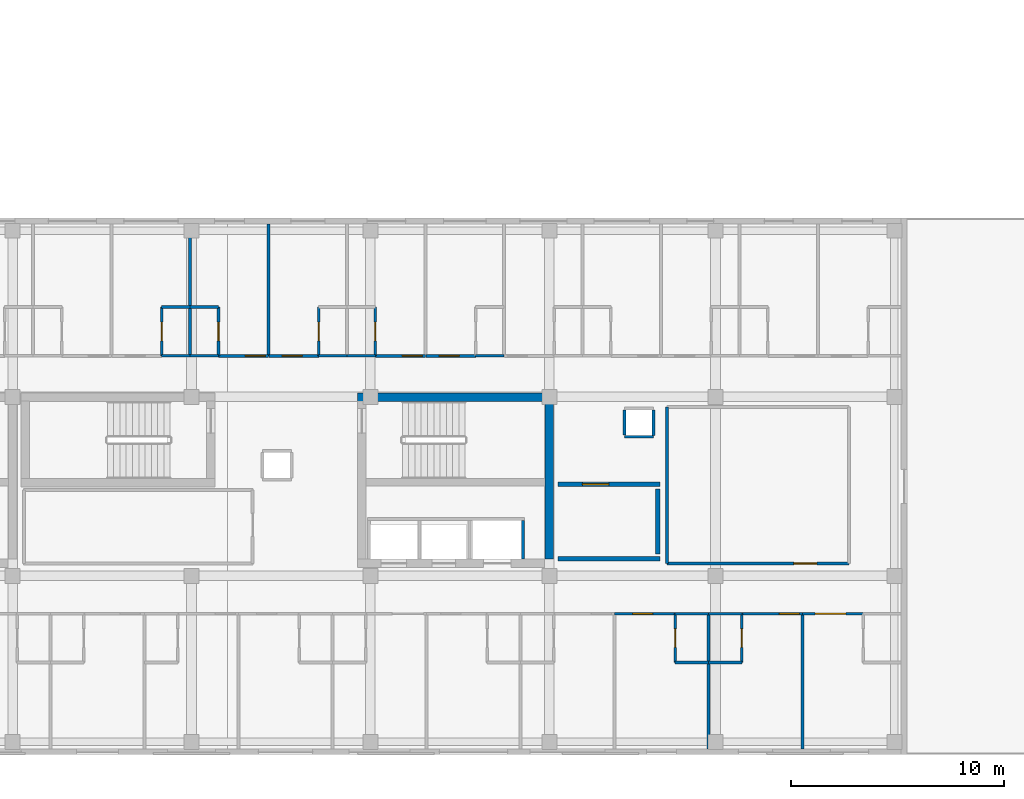
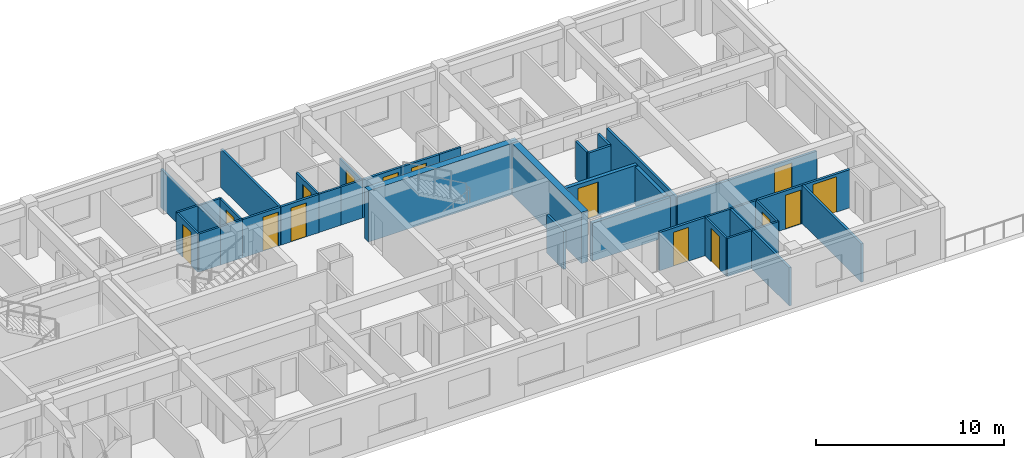
# One storey, part 7 of 13: 39 walls, 15 doors, 15 openings.
"""IFC4 building model written with IfcOpenShell, lengths in metres."""

import ifcopenshell
import ifcopenshell.guid

model = None  # the IFC model being written
_history = None  # IfcOwnerHistory: only IFC2X3 demands one
_inside = {}  # id of a spatial element -> (the spatial element, [elements in it])
_under = {}  # id of a project, library or spatial element -> (it, [spatial elements below it])
_declared = {}  # id of a project -> (the project, [libraries it declares])
_typed = {}  # id of a type object -> (the type object, [elements of that type])
_made_of = {}  # id of a material, layer set ... -> (it, [elements and type objects made of it])


def new_model(schema):
    """Start an empty IFC model of exactly this schema.

    Asked for "IFC4X3", IfcOpenShell would pick the latest addendum, in which some entities
    have other attributes; the version numbers below select the first issue.
    IFC2X3 requires an IfcOwnerHistory on every rooted entity: one is made here for all.
    """
    global model, _history
    if schema == "IFC4X3":
        model = ifcopenshell.file(schema_version=(4, 3, 0, 0))
    else:
        model = ifcopenshell.file(schema=schema)
    _inside.clear()
    _under.clear()
    _declared.clear()
    _typed.clear()
    _made_of.clear()
    _history = None
    if model.schema == "IFC2X3":
        org = make("IfcOrganization", Name="unknown")
        user = make(
            "IfcPersonAndOrganization",
            ThePerson=make("IfcPerson", FamilyName="unknown"),
            TheOrganization=org,
        )
        app = make(
            "IfcApplication",
            ApplicationDeveloper=org,
            Version="unknown",
            ApplicationFullName="unknown",
            ApplicationIdentifier="unknown",
        )
        _history = make(
            "IfcOwnerHistory",
            OwningUser=user,
            OwningApplication=app,
            ChangeAction="ADDED",
            CreationDate=0,
        )
    return model


def make(cls, **values):
    """One entity of the class cls with the attributes given. An attribute that is None is left unset."""
    return model.create_entity(
        cls, **{name: value for name, value in values.items() if value is not None}
    )


def rooted(cls, **values):
    """An entity with a GlobalId (a new one), such as an element, a storey or a relation."""
    return make(cls, GlobalId=ifcopenshell.guid.new(), OwnerHistory=_history, **values)


def si_unit(unit_type, name, prefix=None):
    """IfcSIUnit, for example si_unit("LENGTHUNIT", "METRE", prefix="MILLI")."""
    return make("IfcSIUnit", UnitType=unit_type, Prefix=prefix, Name=name)


def assignment(units):
    """IfcUnitAssignment: the units of a project."""
    return None if units is None else make("IfcUnitAssignment", Units=units)


def point(xyz):
    """IfcCartesianPoint."""
    return None if xyz is None else make("IfcCartesianPoint", Coordinates=xyz)


def direction(xyz):
    """IfcDirection."""
    return None if xyz is None else make("IfcDirection", DirectionRatios=xyz)


def frame(location, z_axis=None, x_axis=None):
    """IfcAxis2Placement3D, a coordinate frame: its origin and axes. An axis left out is left unset."""
    return make(
        "IfcAxis2Placement3D",
        Location=point(location),
        Axis=direction(z_axis),
        RefDirection=direction(x_axis),
    )


def frame_2d(location, x_axis=None):
    """IfcAxis2Placement2D, a coordinate frame in the plane: its origin and x axis."""
    return make(
        "IfcAxis2Placement2D", Location=point(location), RefDirection=direction(x_axis)
    )


def origin():
    """The frame at (0, 0, 0) with its axes left unset."""
    return frame((0.0, 0.0, 0.0))


def place(relative_to, where):
    """IfcLocalPlacement: puts the frame where relative to a parent placement (None: the world)."""
    return make(
        "IfcLocalPlacement", PlacementRelTo=relative_to, RelativePlacement=where
    )


def context(
    kind, dimensions, precision=None, world=None, true_north=None, identifier=None
):
    """IfcGeometricRepresentationContext, for example the 3D "Model" context."""
    return make(
        "IfcGeometricRepresentationContext",
        ContextIdentifier=identifier,
        ContextType=kind,
        CoordinateSpaceDimension=dimensions,
        Precision=precision,
        WorldCoordinateSystem=world,
        TrueNorth=true_north,
    )


def subcontext(parent, identifier, kind, view, scale=None):
    """IfcGeometricRepresentationSubContext, for example "Body" below "Model"."""
    return make(
        "IfcGeometricRepresentationSubContext",
        ContextIdentifier=identifier,
        ContextType=kind,
        ParentContext=parent,
        TargetScale=scale,
        TargetView=view,
    )


def project(units=None, contexts=None):
    """IfcProject with its units and contexts."""
    return rooted(
        "IfcProject",
        Name="project",
        RepresentationContexts=contexts,
        UnitsInContext=assignment(units),
    )


def spatial(cls, under=None, at=None, **own):
    """A site, building, storey or space (cls), placed at a placement, below another one or the project."""
    s = rooted(cls, ObjectPlacement=at, **own)
    if under is not None:
        _under.setdefault(under.id(), (under, []))[1].append(s)
    return s


def profile(cls, at=None, kind="AREA", **sizes):
    """A parametric profile (cls). Its sizes go by their IFC names, for example OverallWidth=200.0."""
    return make(cls, ProfileType=kind, Position=at, **sizes)


def rectangle(**sizes):
    """IfcRectangleProfileDef."""
    return profile("IfcRectangleProfileDef", **sizes)


def extrude(swept, where, along, depth):
    """IfcExtrudedAreaSolid: the profile swept, set in the frame where, extruded along a direction by depth."""
    return make(
        "IfcExtrudedAreaSolid",
        SweptArea=swept,
        Position=where,
        ExtrudedDirection=direction(along),
        Depth=depth,
    )


def shape(context_of_items, identifier, shape_type, items):
    """IfcShapeRepresentation: the items that make up one representation, for example the "Body"."""
    return make(
        "IfcShapeRepresentation",
        ContextOfItems=context_of_items,
        RepresentationIdentifier=identifier,
        RepresentationType=shape_type,
        Items=items,
    )


def material(Name=None, Category=None):
    """IfcMaterial."""
    return make("IfcMaterial", Name=Name, Category=Category)


def layer(
    of_material, thickness, ventilated=None, Name=None, Category=None, Priority=None
):
    """IfcMaterialLayer: one layer of a wall or slab, of a material (None: an air gap)."""
    return make(
        "IfcMaterialLayer",
        Material=of_material,
        LayerThickness=thickness,
        IsVentilated=ventilated,
        Name=Name,
        Category=Category,
        Priority=Priority,
    )


def layer_set(layers, Name=None):
    """IfcMaterialLayerSet."""
    return make("IfcMaterialLayerSet", MaterialLayers=layers, LayerSetName=Name)


def made_of(thing, what):
    """Note that an element or type object is made of a material, layer set ...; save() writes the relation."""
    if what is not None:
        _made_of.setdefault(what.id(), (what, []))[1].append(thing)
    return thing


def type_object(cls, material=None, **own):
    """A type object (cls), such as IfcWallType, which elements share."""
    return made_of(rooted(cls, **own), material)


def element(
    cls,
    number,
    at=None,
    inside=None,
    cuts=None,
    type_object=None,
    material=None,
    context=None,
    identifier="Body",
    shape_type=None,
    held_by="IfcProductDefinitionShape",
    body=None,
    shapes=None,
    **own,
):
    """One element of the class cls, such as IfcWall. Its Tag is "e" and its number.

    at: its placement. inside: the storey or other place that contains it. cuts: it is an
    opening in that element (IfcRelVoidsElement). A single representation is given by context,
    identifier, shape_type and body (its items); several are given by shapes. held_by: the class
    of the entity that holds the representations. save() writes the other relations.
    """
    e = rooted(cls, Tag="e%d" % number, ObjectPlacement=at, **own)
    if body is not None:
        shapes = [shape(context, identifier, shape_type, body)]
    if shapes is not None:
        e.Representation = make(held_by, Representations=shapes)
    if inside is not None:
        _inside.setdefault(inside.id(), (inside, []))[1].append(e)
    if cuts is not None:
        rooted(
            "IfcRelVoidsElement", RelatingBuildingElement=cuts, RelatedOpeningElement=e
        )
    if type_object is not None:
        _typed.setdefault(type_object.id(), (type_object, []))[1].append(e)
    return made_of(e, material)


def fill(opening, filler):
    """IfcRelFillsElement: the door or window that sits in an opening."""
    return rooted(
        "IfcRelFillsElement",
        RelatingOpeningElement=opening,
        RelatedBuildingElement=filler,
    )


def aggregate(whole, parts):
    """IfcRelAggregates: a whole, such as a stair, and the parts it consists of."""
    return rooted("IfcRelAggregates", RelatingObject=whole, RelatedObjects=parts)


def save(model, path):
    """Write the relations noted so far, then the file.

    IfcRelAggregates (storeys below a building ...), IfcRelContainedInSpatialStructure (elements
    in a storey), IfcRelDefinesByType, IfcRelAssociatesMaterial and IfcRelDeclares: one each for
    every whole, place, type object, material and project.
    """
    for whole, parts in _under.values():
        aggregate(whole, parts)
    for where, things in _inside.values():
        rooted(
            "IfcRelContainedInSpatialStructure",
            RelatedElements=things,
            RelatingStructure=where,
        )
    for kind, things in _typed.values():
        rooted("IfcRelDefinesByType", RelatedObjects=things, RelatingType=kind)
    for what, things in _made_of.values():
        rooted("IfcRelAssociatesMaterial", RelatedObjects=things, RelatingMaterial=what)
    for by, libraries in _declared.values():
        rooted("IfcRelDeclares", RelatingContext=by, RelatedDefinitions=libraries)
    model.write(path)


model = new_model("IFC4")

# Units and contexts
model_context = context("Model", 3, precision=1e-05, world=origin(), true_north=direction((0.0, 1.0)))
body_context = subcontext(model_context, "Body", "Model", "MODEL_VIEW")
ifc_project = project(units=[si_unit("LENGTHUNIT", "METRE"), si_unit("AREAUNIT", "SQUARE_METRE"), si_unit("VOLUMEUNIT", "CUBIC_METRE"), si_unit("PLANEANGLEUNIT", "RADIAN"), si_unit("MASSUNIT", "GRAM", prefix="KILO")], contexts=[model_context])

# Site, building, storey
site_placement = place(None, origin())
site = spatial("IfcSite", under=ifc_project, at=site_placement, CompositionType="ELEMENT")
building_placement = place(site_placement, origin())
building = spatial("IfcBuilding", under=site, at=building_placement, Name="Zayran Congress Hotel", CompositionType="ELEMENT")
storey_placement = place(building_placement, frame((0.0, 0.0, 22.800048828125)))
storey = spatial("IfcBuildingStorey", under=building, at=storey_placement, Name="L05", CompositionType="ELEMENT", Elevation=22.800048828125)

# Walls
ifc_material_1 = material(Name="Concrete C40/50", Category="concrete")
ifc_layer_1 = layer(ifc_material_1, 0.39990234375)
ifc_layer_set_1 = layer_set([ifc_layer_1], Name="Concrete C40/50")
wall_type_1 = type_object("IfcWallType", Name="WL-SH-400", PredefinedType="SHEAR", material=ifc_layer_set_1)
wall_1_placement = place(storey_placement, frame((59.0, 25.5849609375, 0.0), z_axis=(0.0, 0.0, 1.0), x_axis=(-1.0, 0.0, 0.0)))
element("IfcWall", 1, at=wall_1_placement, inside=storey, type_object=wall_type_1, Name="CWALL-C-V5E-L05-N", PredefinedType="SHEAR", context=body_context, shape_type="SweptSolid", body=[
    extrude(rectangle(XDim=9.199951171875, YDim=0.39990234375, at=frame_2d((4.60009765625, 0.0))), origin(), (0.0, 0.0, 1.0), 3.320068359375),
])
wall_2_placement = place(storey_placement, frame((58.800048828125, 18.0, 0.0), z_axis=(0.0, 0.0, 1.0), x_axis=(0.0, 1.0, 0.0)))
element("IfcWall", 2, at=wall_2_placement, inside=storey, type_object=wall_type_1, Name="CWALL-C-V5E-L05-E", PredefinedType="SHEAR", context=body_context, shape_type="SweptSolid", body=[
    extrude(rectangle(XDim=7.39990234375, YDim=0.39990234375, at=frame_2d((3.699951171875, 0.0))), origin(), (0.0, 0.0, 1.0), 3.320068359375),
])
ifc_material_2 = material(Name="Concrete C32/40 fire wall", Category="concrete")
ifc_layer_2 = layer(ifc_material_2, 0.219970703125)
ifc_layer_set_2 = layer_set([ifc_layer_2], Name="Concrete C32/40 fire wall")
wall_type_2 = type_object("IfcWallType", Name="WL-FF-220", PredefinedType="SOLIDWALL", material=ifc_layer_set_2)
wall_3_placement = place(storey_placement, frame((59.199951171875, 18.0, 0.0), z_axis=(0.0, 0.0, 1.0), x_axis=(1.0, 0.0, 0.0)))
element("IfcWall", 3, at=wall_3_placement, inside=storey, type_object=wall_type_2, Name="FFWL-C-V5E-L05-S", PredefinedType="SOLIDWALL", context=body_context, shape_type="SweptSolid", body=[
    extrude(rectangle(XDim=4.800048828125, YDim=0.219970703125, at=frame_2d((2.39990234375, 0.0))), origin(), (0.0, 0.0, 1.0), 2.469970703125),
])

# Wall, opening, door
wall_4_placement = place(storey_placement, frame((59.199951171875, 21.5, 0.0), z_axis=(0.0, 0.0, 1.0), x_axis=(1.0, 0.0, 0.0)))
wall_4 = element("IfcWall", 4, at=wall_4_placement, inside=storey, type_object=wall_type_2, Name="FFWL-C-V5E-L05-N", PredefinedType="SOLIDWALL", context=body_context, shape_type="SweptSolid", body=[
    extrude(rectangle(XDim=4.800048828125, YDim=0.219970703125, at=frame_2d((2.39990234375, 0.0))), origin(), (0.0, 0.0, 1.0), 2.469970703125),
])
opening_1_placement = place(wall_4_placement, frame((1.14990234375, 0.0, 0.0)))
opening_1 = element("IfcOpeningElement", 5, at=opening_1_placement, cuts=wall_4, Name="Opening DR-FF-60", PredefinedType="OPENING", context=body_context, shape_type="SweptSolid", body=[
    extrude(rectangle(XDim=1.25, YDim=2.199951171875, at=frame_2d((0.625, 1.10009765625))), frame((0.0, 0.119873046875, 0.0), z_axis=(0.0, -1.0, 0.0), x_axis=(1.0, 0.0, 0.0)), (0.0, 0.0, 1.0), 0.239990234375),
])
ifc_material_3 = material(Name="Painted steel smoke-seal fire door", Category="steel")
door_type_1 = type_object("IfcDoorType", Name="TP-DR-FF-60", OperationType="NOTDEFINED", PredefinedType="DOOR", material=ifc_material_3)
door_1_placement = place(opening_1_placement, origin())
door_1 = element("IfcDoor", 6, at=door_1_placement, inside=storey, type_object=door_type_1, Name="Firefighting Lift Lobby Door C-V5E L05", OperationType="SINGLE_SWING_RIGHT", OverallHeight=2.199951171875, OverallWidth=1.25, PredefinedType="DOOR", context=body_context, shape_type="SweptSolid", body=[
    extrude(rectangle(XDim=1.25, YDim=2.199951171875, at=frame_2d((0.625, 1.10009765625))), frame((0.0, 0.02490234375, 0.0), z_axis=(0.0, -1.0, 0.0), x_axis=(1.0, 0.0, 0.0)), (0.0, 0.0, 1.0), 0.050048828125),
])
fill(opening_1, door_1)

# Walls
wall_5_placement = place(storey_placement, frame((63.889892578125, 18.219970703125, 0.0), z_axis=(0.0, 0.0, 1.0), x_axis=(0.0, 1.0, 0.0)))
element("IfcWall", 7, at=wall_5_placement, inside=storey, type_object=wall_type_2, Name="FFWL-C-V5E-L05-SD", PredefinedType="SOLIDWALL", context=body_context, shape_type="SweptSolid", body=[
    extrude(rectangle(XDim=3.06005859375, YDim=0.219970703125, at=frame_2d((1.530029296875, 0.0))), origin(), (0.0, 0.0, 1.0), 2.469970703125),
])
ifc_material_4 = material(Name="Hospitality guestroom acoustic partition", Category="gypsum")
ifc_layer_3 = layer(ifc_material_4, 0.139892578125)
ifc_layer_set_3 = layer_set([ifc_layer_3], Name="Hospitality guestroom acoustic partition")
wall_type_3 = type_object("IfcWallType", Name="WL-PT-140", PredefinedType="PARTITIONING", material=ifc_layer_set_3)
wall_6_placement = place(storey_placement, frame((57.570068359375, 18.0, 0.0), z_axis=(0.0, 0.0, 1.0), x_axis=(0.0, 1.0, 0.0)))
element("IfcWall", 8, at=wall_6_placement, inside=storey, type_object=wall_type_3, Name="LSHW-C-V5E-L05-E", PredefinedType="PARTITIONING", context=body_context, shape_type="SweptSolid", body=[
    extrude(rectangle(XDim=1.800048828125, YDim=0.139892578125, at=frame_2d((0.89990234375, 0.0))), origin(), (0.0, 0.0, 1.0), 2.469970703125),
])

# Wall, opening, door
wall_7_placement = place(storey_placement, frame((64.320068359375, 17.780029296875, 0.0), z_axis=(0.0, 0.0, 1.0), x_axis=(1.0, 0.0, 0.0)))
wall_7 = element("IfcWall", 9, at=wall_7_placement, inside=storey, type_object=wall_type_3, Name="IW-L05-0656", PredefinedType="PARTITIONING", context=body_context, shape_type="SweptSolid", body=[
    extrude(rectangle(XDim=8.559814453125, YDim=0.139892578125, at=frame_2d((4.27978515625, 0.0))), origin(), (0.0, 0.0, 1.0), 2.47998046875),
])
opening_2_placement = place(wall_7_placement, frame((5.9580078125, 0.0, 0.0)))
opening_2 = element("IfcOpeningElement", 10, at=opening_2_placement, cuts=wall_7, Name="Opening DR-MT-01", PredefinedType="OPENING", context=body_context, shape_type="SweptSolid", body=[
    extrude(rectangle(XDim=1.080078125, YDim=2.25, at=frame_2d((0.5400390625, 1.125))), frame((0.0, 0.079833984375, 0.0), z_axis=(0.0, -1.0, 0.0), x_axis=(1.0, 0.0, 0.0)), (0.0, 0.0, 1.0), 0.159912109375),
])
ifc_material_5 = material(Name="Acoustic timber seminar room door", Category="wood")
door_type_2 = type_object("IfcDoorType", Name="TP-DR-MT-01", OperationType="NOTDEFINED", PredefinedType="DOOR", material=ifc_material_5)
door_2_placement = place(opening_2_placement, origin())
door_2 = element("IfcDoor", 11, at=door_2_placement, inside=storey, type_object=door_type_2, Name="Delegate Study Salon East L05 Door", OperationType="SINGLE_SWING_LEFT", OverallHeight=2.25, OverallWidth=1.080078125, PredefinedType="DOOR", context=body_context, shape_type="SweptSolid", body=[
    extrude(rectangle(XDim=1.080078125, YDim=2.25, at=frame_2d((0.5400390625, 1.125))), frame((0.0, 0.02490234375, 0.0), z_axis=(0.0, -1.0, 0.0), x_axis=(1.0, 0.0, 0.0)), (0.0, 0.0, 1.0), 0.050048828125),
])
fill(opening_2, door_2)

wall_8_placement = place(storey_placement, frame((61.8701171875, 15.419921875, 0.0), z_axis=(0.0, 0.0, 1.0), x_axis=(1.0, 0.0, 0.0)))
wall_8 = element("IfcWall", 12, at=wall_8_placement, inside=storey, type_object=wall_type_3, Name="IW-L05-0669", PredefinedType="PARTITIONING", context=body_context, shape_type="SweptSolid", body=[
    extrude(rectangle(XDim=2.849853515625, YDim=0.139892578125, at=frame_2d((1.4248046875, 0.0))), origin(), (0.0, 0.0, 1.0), 2.47998046875),
])
opening_3_placement = place(wall_8_placement, frame((0.839111328125, 0.0, 0.0)))
opening_3 = element("IfcOpeningElement", 13, at=opening_3_placement, cuts=wall_8, Name="Opening DR-GR-01", PredefinedType="OPENING", context=body_context, shape_type="SweptSolid", body=[
    extrude(rectangle(XDim=0.93994140625, YDim=2.199951171875, at=frame_2d((0.469970703125, 1.10009765625))), frame((0.0, 0.079833984375, 0.0), z_axis=(0.0, -1.0, 0.0), x_axis=(1.0, 0.0, 0.0)), (0.0, 0.0, 1.0), 0.159912109375),
])
ifc_material_6 = material(Name="Acoustic walnut veneer fire-rated entry door", Category="wood")
door_type_3 = type_object("IfcDoorType", Name="TP-DR-GR-01", OperationType="NOTDEFINED", PredefinedType="DOOR", material=ifc_material_6)
door_3_placement = place(opening_3_placement, origin())
door_3 = element("IfcDoor", 14, at=door_3_placement, inside=storey, type_object=door_type_3, Name="Guest Room L05-13 Door", OperationType="SINGLE_SWING_RIGHT", OverallHeight=2.199951171875, OverallWidth=0.93994140625, PredefinedType="DOOR", context=body_context, shape_type="SweptSolid", body=[
    extrude(rectangle(XDim=0.93994140625, YDim=2.199951171875, at=frame_2d((0.469970703125, 1.10009765625))), frame((0.0, 0.02490234375, 0.0), z_axis=(0.0, -1.0, 0.0), x_axis=(1.0, 0.0, 0.0)), (0.0, 0.0, 1.0), 0.050048828125),
])
fill(opening_3, door_3)

wall_9_placement = place(storey_placement, frame((67.826904296875, 15.419921875, 0.0), z_axis=(0.0, 0.0, 1.0), x_axis=(1.0, 0.0, 0.0)))
wall_9 = element("IfcWall", 15, at=wall_9_placement, inside=storey, type_object=wall_type_3, Name="IW-L05-0670", PredefinedType="PARTITIONING", context=body_context, shape_type="SweptSolid", body=[
    extrude(rectangle(XDim=2.85009765625, YDim=0.139892578125, at=frame_2d((1.425048828125, 0.0))), origin(), (0.0, 0.0, 1.0), 2.47998046875),
])
opening_4_placement = place(wall_9_placement, frame((1.77001953125, 0.0, 0.0)))
opening_4 = element("IfcOpeningElement", 16, at=opening_4_placement, cuts=wall_9, Name="Opening DR-GR-01", PredefinedType="OPENING", context=body_context, shape_type="SweptSolid", body=[
    extrude(rectangle(XDim=0.93994140625, YDim=2.199951171875, at=frame_2d((0.469970703125, 1.10009765625))), frame((0.0, 0.079833984375, 0.0), z_axis=(0.0, -1.0, 0.0), x_axis=(1.0, 0.0, 0.0)), (0.0, 0.0, 1.0), 0.159912109375),
])
door_4_placement = place(opening_4_placement, origin())
door_4 = element("IfcDoor", 17, at=door_4_placement, inside=storey, type_object=door_type_3, Name="Guest Room L05-14 Door", OperationType="SINGLE_SWING_LEFT", OverallHeight=2.199951171875, OverallWidth=0.93994140625, PredefinedType="DOOR", context=body_context, shape_type="SweptSolid", body=[
    extrude(rectangle(XDim=0.93994140625, YDim=2.199951171875, at=frame_2d((0.469970703125, 1.10009765625))), frame((0.0, 0.02490234375, 0.0), z_axis=(0.0, -1.0, 0.0), x_axis=(1.0, 0.0, 0.0)), (0.0, 0.0, 1.0), 0.050048828125),
])
fill(opening_4, door_4)

wall_10_placement = place(storey_placement, frame((70.697021484375, 15.419921875, 0.0), z_axis=(0.0, 0.0, 1.0), x_axis=(1.0, 0.0, 0.0)))
wall_10 = element("IfcWall", 18, at=wall_10_placement, inside=storey, type_object=wall_type_3, Name="IW-L05-0671", PredefinedType="PARTITIONING", context=body_context, shape_type="SweptSolid", body=[
    extrude(rectangle(XDim=2.85009765625, YDim=0.139892578125, at=frame_2d((1.425048828125, 0.0))), origin(), (0.0, 0.0, 1.0), 2.47998046875),
])
opening_5_placement = place(wall_10_placement, frame((0.580078125, 0.0, 0.0)))
opening_5 = element("IfcOpeningElement", 19, at=opening_5_placement, cuts=wall_10, Name="Opening DR-ST-01", PredefinedType="OPENING", context=body_context, shape_type="SweptSolid", body=[
    extrude(rectangle(XDim=1.449951171875, YDim=2.300048828125, at=frame_2d((0.72509765625, 1.14990234375))), frame((0.0, 0.079833984375, 0.0), z_axis=(0.0, -1.0, 0.0), x_axis=(1.0, 0.0, 0.0)), (0.0, 0.0, 1.0), 0.159912109375),
])
ifc_material_7 = material(Name="Double walnut veneer suite entry door", Category="wood")
door_type_4 = type_object("IfcDoorType", Name="TP-DR-ST-01", OperationType="DOUBLE_DOOR_SINGLE_SWING", PredefinedType="DOOR", material=ifc_material_7)
door_5_placement = place(opening_5_placement, origin())
door_5 = element("IfcDoor", 20, at=door_5_placement, inside=storey, type_object=door_type_4, Name="Junior Suite L05-15 Door", OperationType="DOUBLE_DOOR_SINGLE_SWING", OverallHeight=2.300048828125, OverallWidth=1.449951171875, PredefinedType="DOOR", context=body_context, shape_type="SweptSolid", body=[
    extrude(rectangle(XDim=1.449951171875, YDim=2.300048828125, at=frame_2d((0.72509765625, 1.14990234375))), frame((0.0, 0.02490234375, 0.0), z_axis=(0.0, -1.0, 0.0), x_axis=(1.0, 0.0, 0.0)), (0.0, 0.0, 1.0), 0.050048828125),
])
fill(opening_5, door_5)

wall_11_placement = place(storey_placement, frame((43.26806640625, 27.530029296875, 0.0), z_axis=(0.0, 0.0, 1.0), x_axis=(1.0, 0.0, 0.0)))
wall_11 = element("IfcWall", 21, at=wall_11_placement, inside=storey, type_object=wall_type_3, Name="IW-L05-0680", PredefinedType="PARTITIONING", context=body_context, shape_type="SweptSolid", body=[
    extrude(rectangle(XDim=2.344970703125, YDim=0.139892578125, at=frame_2d((1.17236328125, 0.0))), origin(), (0.0, 0.0, 1.0), 2.47998046875),
])
opening_6_placement = place(wall_11_placement, frame((1.264892578125, 0.0, 0.0)))
opening_6 = element("IfcOpeningElement", 22, at=opening_6_placement, cuts=wall_11, Name="Opening DR-GR-01", PredefinedType="OPENING", context=body_context, shape_type="SweptSolid", body=[
    extrude(rectangle(XDim=0.93994140625, YDim=2.199951171875, at=frame_2d((0.469970703125, 1.10009765625))), frame((0.0, 0.079833984375, 0.0), z_axis=(0.0, -1.0, 0.0), x_axis=(1.0, 0.0, 0.0)), (0.0, 0.0, 1.0), 0.159912109375),
])
door_6_placement = place(opening_6_placement, origin())
door_6 = element("IfcDoor", 23, at=door_6_placement, inside=storey, type_object=door_type_3, Name="Guest Room L05-22 Door", OperationType="SINGLE_SWING_RIGHT", OverallHeight=2.199951171875, OverallWidth=0.93994140625, PredefinedType="DOOR", context=body_context, shape_type="SweptSolid", body=[
    extrude(rectangle(XDim=0.93994140625, YDim=2.199951171875, at=frame_2d((0.469970703125, 1.10009765625))), frame((0.0, 0.02490234375, 0.0), z_axis=(0.0, -1.0, 0.0), x_axis=(1.0, 0.0, 0.0)), (0.0, 0.0, 1.0), 0.050048828125),
])
fill(opening_6, door_6)

wall_12_placement = place(storey_placement, frame((45.633056640625, 27.530029296875, 0.0), z_axis=(0.0, 0.0, 1.0), x_axis=(1.0, 0.0, 0.0)))
wall_12 = element("IfcWall", 24, at=wall_12_placement, inside=storey, type_object=wall_type_3, Name="IW-L05-0681", PredefinedType="PARTITIONING", context=body_context, shape_type="SweptSolid", body=[
    extrude(rectangle(XDim=2.343994140625, YDim=0.139892578125, at=frame_2d((1.171875, 0.0))), origin(), (0.0, 0.0, 1.0), 2.47998046875),
])
opening_7_placement = place(wall_12_placement, frame((0.6220703125, 0.0, 0.0)))
opening_7 = element("IfcOpeningElement", 25, at=opening_7_placement, cuts=wall_12, Name="Opening DR-GR-01", PredefinedType="OPENING", context=body_context, shape_type="SweptSolid", body=[
    extrude(rectangle(XDim=0.93994140625, YDim=2.199951171875, at=frame_2d((0.469970703125, 1.10009765625))), frame((0.0, 0.079833984375, 0.0), z_axis=(0.0, -1.0, 0.0), x_axis=(1.0, 0.0, 0.0)), (0.0, 0.0, 1.0), 0.159912109375),
])
door_7_placement = place(opening_7_placement, origin())
door_7 = element("IfcDoor", 26, at=door_7_placement, inside=storey, type_object=door_type_3, Name="Guest Room L05-23 Door", OperationType="SINGLE_SWING_LEFT", OverallHeight=2.199951171875, OverallWidth=0.93994140625, PredefinedType="DOOR", context=body_context, shape_type="SweptSolid", body=[
    extrude(rectangle(XDim=0.93994140625, YDim=2.199951171875, at=frame_2d((0.469970703125, 1.10009765625))), frame((0.0, 0.02490234375, 0.0), z_axis=(0.0, -1.0, 0.0), x_axis=(1.0, 0.0, 0.0)), (0.0, 0.0, 1.0), 0.050048828125),
])
fill(opening_7, door_7)

wall_13_placement = place(storey_placement, frame((50.636962890625, 27.530029296875, 0.0), z_axis=(0.0, 0.0, 1.0), x_axis=(1.0, 0.0, 0.0)))
wall_13 = element("IfcWall", 27, at=wall_13_placement, inside=storey, type_object=wall_type_3, Name="IW-L05-0682", PredefinedType="PARTITIONING", context=body_context, shape_type="SweptSolid", body=[
    extrude(rectangle(XDim=2.344970703125, YDim=0.139892578125, at=frame_2d((1.17236328125, 0.0))), origin(), (0.0, 0.0, 1.0), 2.47998046875),
])
opening_8_placement = place(wall_13_placement, frame((1.264892578125, 0.0, 0.0)))
opening_8 = element("IfcOpeningElement", 28, at=opening_8_placement, cuts=wall_13, Name="Opening DR-GR-01", PredefinedType="OPENING", context=body_context, shape_type="SweptSolid", body=[
    extrude(rectangle(XDim=0.93994140625, YDim=2.199951171875, at=frame_2d((0.469970703125, 1.10009765625))), frame((0.0, 0.079833984375, 0.0), z_axis=(0.0, -1.0, 0.0), x_axis=(1.0, 0.0, 0.0)), (0.0, 0.0, 1.0), 0.159912109375),
])
door_8_placement = place(opening_8_placement, origin())
door_8 = element("IfcDoor", 29, at=door_8_placement, inside=storey, type_object=door_type_3, Name="Guest Room L05-24 Door", OperationType="SINGLE_SWING_RIGHT", OverallHeight=2.199951171875, OverallWidth=0.93994140625, PredefinedType="DOOR", context=body_context, shape_type="SweptSolid", body=[
    extrude(rectangle(XDim=0.93994140625, YDim=2.199951171875, at=frame_2d((0.469970703125, 1.10009765625))), frame((0.0, 0.02490234375, 0.0), z_axis=(0.0, -1.0, 0.0), x_axis=(1.0, 0.0, 0.0)), (0.0, 0.0, 1.0), 0.050048828125),
])
fill(opening_8, door_8)

wall_14_placement = place(storey_placement, frame((53.001953125, 27.530029296875, 0.0), z_axis=(0.0, 0.0, 1.0), x_axis=(1.0, 0.0, 0.0)))
wall_14 = element("IfcWall", 30, at=wall_14_placement, inside=storey, type_object=wall_type_3, Name="IW-L05-0683", PredefinedType="PARTITIONING", context=body_context, shape_type="SweptSolid", body=[
    extrude(rectangle(XDim=2.344970703125, YDim=0.139892578125, at=frame_2d((1.17236328125, 0.0))), origin(), (0.0, 0.0, 1.0), 2.47998046875),
])
opening_9_placement = place(wall_14_placement, frame((0.6220703125, 0.0, 0.0)))
opening_9 = element("IfcOpeningElement", 31, at=opening_9_placement, cuts=wall_14, Name="Opening DR-GR-01", PredefinedType="OPENING", context=body_context, shape_type="SweptSolid", body=[
    extrude(rectangle(XDim=0.93994140625, YDim=2.199951171875, at=frame_2d((0.469970703125, 1.10009765625))), frame((0.0, 0.079833984375, 0.0), z_axis=(0.0, -1.0, 0.0), x_axis=(1.0, 0.0, 0.0)), (0.0, 0.0, 1.0), 0.159912109375),
])
door_9_placement = place(opening_9_placement, origin())
door_9 = element("IfcDoor", 32, at=door_9_placement, inside=storey, type_object=door_type_3, Name="Guest Room L05-25 Door", OperationType="SINGLE_SWING_LEFT", OverallHeight=2.199951171875, OverallWidth=0.93994140625, PredefinedType="DOOR", context=body_context, shape_type="SweptSolid", body=[
    extrude(rectangle(XDim=0.93994140625, YDim=2.199951171875, at=frame_2d((0.469970703125, 1.10009765625))), frame((0.0, 0.02490234375, 0.0), z_axis=(0.0, -1.0, 0.0), x_axis=(1.0, 0.0, 0.0)), (0.0, 0.0, 1.0), 0.050048828125),
])
fill(opening_9, door_9)

# Walls
wall_15_placement = place(storey_placement, frame((64.330078125, 17.77001953125, 0.0), z_axis=(0.0, 0.0, 1.0), x_axis=(0.0, 1.0, 0.0)))
element("IfcWall", 33, at=wall_15_placement, inside=storey, type_object=wall_type_3, Name="IW-L05-1984", PredefinedType="PARTITIONING", context=body_context, shape_type="SweptSolid", body=[
    extrude(rectangle(XDim=7.35986328125, YDim=0.139892578125, at=frame_2d((3.679931640625, 0.0))), origin(), (0.0, 0.0, 1.0), 2.47998046875),
])
for number, where, z_axis, x_axis, name in (
    (34, (66.262939453125, 9.080078125, 0.0), (0.0, 0.0, 1.0), (0.0, 1.0, 0.0), "IW-L05-1998"),
    (35, (70.677001953125, 9.080078125, 0.0), (0.0, 0.0, 1.0), (0.0, 1.0, 0.0), "IW-L05-1999"),
):
    element("IfcWall", number, at=place(storey_placement, frame(where, z_axis=z_axis, x_axis=x_axis)), inside=storey, type_object=wall_type_3, Name=name, PredefinedType="PARTITIONING", context=body_context, shape_type="SweptSolid", body=[
        extrude(rectangle(XDim=6.349853515625, YDim=0.139892578125, at=frame_2d((3.1748046875, 0.0))), origin(), (0.0, 0.0, 1.0), 2.47998046875),
    ])
for number, where, z_axis, x_axis, name in (
    (36, (41.927978515625, 27.52001953125, 0.0), (0.0, 0.0, 1.0), (0.0, 1.0, 0.0), "IW-L05-2007"),
    (37, (45.613037109375, 27.52001953125, 0.0), (0.0, 0.0, 1.0), (0.0, 1.0, 0.0), "IW-L05-2008"),
):
    element("IfcWall", number, at=place(storey_placement, frame(where, z_axis=z_axis, x_axis=x_axis)), inside=storey, type_object=wall_type_3, Name=name, PredefinedType="PARTITIONING", context=body_context, shape_type="SweptSolid", body=[
        extrude(rectangle(XDim=6.199951171875, YDim=0.139892578125, at=frame_2d((3.10009765625, 0.0))), origin(), (0.0, 0.0, 1.0), 2.47998046875),
    ])
wall_16_placement = place(storey_placement, frame((62.330078125, 23.72998046875, 0.0), z_axis=(0.0, 0.0, 1.0), x_axis=(1.0, 0.0, 0.0)))
element("IfcWall", 38, at=wall_16_placement, inside=storey, type_object=wall_type_3, Name="RSWL-V5-L05-040-S", PredefinedType="PARTITIONING", context=body_context, shape_type="SweptSolid", body=[
    extrude(rectangle(XDim=1.35986328125, YDim=0.139892578125, at=frame_2d((0.679931640625, 0.0))), origin(), (0.0, 0.0, 1.0), 2.43994140625),
])
for number, where, z_axis, x_axis, name in (
    (39, (62.330078125, 24.97998046875, 0.0), (0.0, 0.0, 1.0), (0.0, -1.0, 0.0), "RSWL-V5-L05-040-W"),
    (40, (63.68994140625, 23.800048828125, 0.0), (0.0, 0.0, 1.0), (0.0, 1.0, 0.0), "RSWL-V5-L05-040-E"),
):
    element("IfcWall", number, at=place(storey_placement, frame(where, z_axis=z_axis, x_axis=x_axis)), inside=storey, type_object=wall_type_3, Name=name, PredefinedType="PARTITIONING", context=body_context, shape_type="SweptSolid", body=[
        extrude(rectangle(XDim=1.179931640625, YDim=0.139892578125, at=frame_2d((0.58984375, 0.0))), origin(), (0.0, 0.0, 1.0), 2.43994140625),
    ])

# Wall, opening, door
ifc_material_8 = material(Name="Moisture-resistant bathroom partition", Category="gypsum")
ifc_layer_4 = layer(ifc_material_8, 0.1201171875)
ifc_layer_set_4 = layer_set([ifc_layer_4], Name="Moisture-resistant bathroom partition")
wall_type_4 = type_object("IfcWallType", Name="WL-PT-120", PredefinedType="PARTITIONING", material=ifc_layer_set_4)
wall_17_placement = place(storey_placement, frame((64.719970703125, 13.1201171875, 0.0), z_axis=(0.0, 0.0, 1.0), x_axis=(0.0, 1.0, 0.0)))
wall_17 = element("IfcWall", 41, at=wall_17_placement, inside=storey, type_object=wall_type_4, Name="IW-L05-0173", PredefinedType="PARTITIONING", context=body_context, shape_type="SweptSolid", body=[
    extrude(rectangle(XDim=2.309814453125, YDim=0.1201171875, at=frame_2d((1.15478515625, 0.0))), origin(), (0.0, 0.0, 1.0), 2.47998046875),
])
opening_10_placement = place(wall_17_placement, frame((0.715087890625, 0.0, 0.0)))
opening_10 = element("IfcOpeningElement", 42, at=opening_10_placement, cuts=wall_17, Name="Opening DR-BT-01", PredefinedType="OPENING", context=body_context, shape_type="SweptSolid", body=[
    extrude(rectangle(XDim=0.8798828125, YDim=2.14990234375, at=frame_2d((0.43994140625, 1.074951171875))), frame((0.0, 0.070068359375, 0.0), z_axis=(0.0, -1.0, 0.0), x_axis=(1.0, 0.0, 0.0)), (0.0, 0.0, 1.0), 0.14013671875),
])
ifc_material_9 = material(Name="Moisture-resistant oak en-suite door", Category="wood")
door_type_5 = type_object("IfcDoorType", Name="TP-DR-BT-01", OperationType="NOTDEFINED", PredefinedType="DOOR", material=ifc_material_9)
door_10_placement = place(opening_10_placement, origin())
door_10 = element("IfcDoor", 43, at=door_10_placement, inside=storey, type_object=door_type_5, Name="En-Suite Bathroom L05-13 Door", OperationType="SINGLE_SWING_RIGHT", OverallHeight=2.14990234375, OverallWidth=0.8798828125, PredefinedType="DOOR", context=body_context, shape_type="SweptSolid", body=[
    extrude(rectangle(XDim=0.8798828125, YDim=2.14990234375, at=frame_2d((0.43994140625, 1.074951171875))), frame((0.0, 0.02490234375, 0.0), z_axis=(0.0, -1.0, 0.0), x_axis=(1.0, 0.0, 0.0)), (0.0, 0.0, 1.0), 0.050048828125),
])
fill(opening_10, door_10)

wall_18_placement = place(storey_placement, frame((67.826904296875, 13.1201171875, 0.0), z_axis=(0.0, 0.0, 1.0), x_axis=(0.0, 1.0, 0.0)))
wall_18 = element("IfcWall", 44, at=wall_18_placement, inside=storey, type_object=wall_type_4, Name="IW-L05-0174", PredefinedType="PARTITIONING", context=body_context, shape_type="SweptSolid", body=[
    extrude(rectangle(XDim=2.309814453125, YDim=0.1201171875, at=frame_2d((1.15478515625, 0.0))), origin(), (0.0, 0.0, 1.0), 2.47998046875),
])
opening_11_placement = place(wall_18_placement, frame((0.715087890625, 0.0, 0.0)))
opening_11 = element("IfcOpeningElement", 45, at=opening_11_placement, cuts=wall_18, Name="Opening DR-BT-01", PredefinedType="OPENING", context=body_context, shape_type="SweptSolid", body=[
    extrude(rectangle(XDim=0.8798828125, YDim=2.14990234375, at=frame_2d((0.43994140625, 1.074951171875))), frame((0.0, 0.070068359375, 0.0), z_axis=(0.0, -1.0, 0.0), x_axis=(1.0, 0.0, 0.0)), (0.0, 0.0, 1.0), 0.14013671875),
])
door_11_placement = place(opening_11_placement, origin())
door_11 = element("IfcDoor", 46, at=door_11_placement, inside=storey, type_object=door_type_5, Name="En-Suite Bathroom L05-14 Door", OperationType="SINGLE_SWING_LEFT", OverallHeight=2.14990234375, OverallWidth=0.8798828125, PredefinedType="DOOR", context=body_context, shape_type="SweptSolid", body=[
    extrude(rectangle(XDim=0.8798828125, YDim=2.14990234375, at=frame_2d((0.43994140625, 1.074951171875))), frame((0.0, 0.02490234375, 0.0), z_axis=(0.0, -1.0, 0.0), x_axis=(1.0, 0.0, 0.0)), (0.0, 0.0, 1.0), 0.050048828125),
])
fill(opening_11, door_11)

wall_19_placement = place(storey_placement, frame((40.60791015625, 27.52001953125, 0.0), z_axis=(0.0, 0.0, 1.0), x_axis=(0.0, 1.0, 0.0)))
wall_19 = element("IfcWall", 47, at=wall_19_placement, inside=storey, type_object=wall_type_4, Name="IW-L05-0181", PredefinedType="PARTITIONING", context=body_context, shape_type="SweptSolid", body=[
    extrude(rectangle(XDim=2.31005859375, YDim=0.1201171875, at=frame_2d((1.155029296875, 0.0))), origin(), (0.0, 0.0, 1.0), 2.47998046875),
])
opening_12_placement = place(wall_19_placement, frame((0.715087890625, 0.0, 0.0)))
opening_12 = element("IfcOpeningElement", 48, at=opening_12_placement, cuts=wall_19, Name="Opening DR-BT-01", PredefinedType="OPENING", context=body_context, shape_type="SweptSolid", body=[
    extrude(rectangle(XDim=0.8798828125, YDim=2.14990234375, at=frame_2d((0.43994140625, 1.074951171875))), frame((0.0, 0.070068359375, 0.0), z_axis=(0.0, -1.0, 0.0), x_axis=(1.0, 0.0, 0.0)), (0.0, 0.0, 1.0), 0.14013671875),
])
door_12_placement = place(opening_12_placement, origin())
door_12 = element("IfcDoor", 49, at=door_12_placement, inside=storey, type_object=door_type_5, Name="En-Suite Bathroom L05-21 Door", OperationType="SINGLE_SWING_RIGHT", OverallHeight=2.14990234375, OverallWidth=0.8798828125, PredefinedType="DOOR", context=body_context, shape_type="SweptSolid", body=[
    extrude(rectangle(XDim=0.8798828125, YDim=2.14990234375, at=frame_2d((0.43994140625, 1.074951171875))), frame((0.0, 0.02490234375, 0.0), z_axis=(0.0, -1.0, 0.0), x_axis=(1.0, 0.0, 0.0)), (0.0, 0.0, 1.0), 0.050048828125),
])
fill(opening_12, door_12)

wall_20_placement = place(storey_placement, frame((43.26806640625, 27.52001953125, 0.0), z_axis=(0.0, 0.0, 1.0), x_axis=(0.0, 1.0, 0.0)))
wall_20 = element("IfcWall", 50, at=wall_20_placement, inside=storey, type_object=wall_type_4, Name="IW-L05-0182", PredefinedType="PARTITIONING", context=body_context, shape_type="SweptSolid", body=[
    extrude(rectangle(XDim=2.31005859375, YDim=0.1201171875, at=frame_2d((1.155029296875, 0.0))), origin(), (0.0, 0.0, 1.0), 2.47998046875),
])
opening_13_placement = place(wall_20_placement, frame((0.715087890625, 0.0, 0.0)))
opening_13 = element("IfcOpeningElement", 51, at=opening_13_placement, cuts=wall_20, Name="Opening DR-BT-01", PredefinedType="OPENING", context=body_context, shape_type="SweptSolid", body=[
    extrude(rectangle(XDim=0.8798828125, YDim=2.14990234375, at=frame_2d((0.43994140625, 1.074951171875))), frame((0.0, 0.070068359375, 0.0), z_axis=(0.0, -1.0, 0.0), x_axis=(1.0, 0.0, 0.0)), (0.0, 0.0, 1.0), 0.14013671875),
])
door_13_placement = place(opening_13_placement, origin())
door_13 = element("IfcDoor", 52, at=door_13_placement, inside=storey, type_object=door_type_5, Name="En-Suite Bathroom L05-22 Door", OperationType="SINGLE_SWING_LEFT", OverallHeight=2.14990234375, OverallWidth=0.8798828125, PredefinedType="DOOR", context=body_context, shape_type="SweptSolid", body=[
    extrude(rectangle(XDim=0.8798828125, YDim=2.14990234375, at=frame_2d((0.43994140625, 1.074951171875))), frame((0.0, 0.02490234375, 0.0), z_axis=(0.0, -1.0, 0.0), x_axis=(1.0, 0.0, 0.0)), (0.0, 0.0, 1.0), 0.050048828125),
])
fill(opening_13, door_13)

wall_21_placement = place(storey_placement, frame((47.97705078125, 27.52001953125, 0.0), z_axis=(0.0, 0.0, 1.0), x_axis=(0.0, 1.0, 0.0)))
wall_21 = element("IfcWall", 53, at=wall_21_placement, inside=storey, type_object=wall_type_4, Name="IW-L05-0183", PredefinedType="PARTITIONING", context=body_context, shape_type="SweptSolid", body=[
    extrude(rectangle(XDim=2.31005859375, YDim=0.1201171875, at=frame_2d((1.155029296875, 0.0))), origin(), (0.0, 0.0, 1.0), 2.47998046875),
])
opening_14_placement = place(wall_21_placement, frame((0.715087890625, 0.0, 0.0)))
opening_14 = element("IfcOpeningElement", 54, at=opening_14_placement, cuts=wall_21, Name="Opening DR-BT-01", PredefinedType="OPENING", context=body_context, shape_type="SweptSolid", body=[
    extrude(rectangle(XDim=0.8798828125, YDim=2.14990234375, at=frame_2d((0.43994140625, 1.074951171875))), frame((0.0, 0.070068359375, 0.0), z_axis=(0.0, -1.0, 0.0), x_axis=(1.0, 0.0, 0.0)), (0.0, 0.0, 1.0), 0.14013671875),
])
door_14_placement = place(opening_14_placement, origin())
door_14 = element("IfcDoor", 55, at=door_14_placement, inside=storey, type_object=door_type_5, Name="En-Suite Bathroom L05-23 Door", OperationType="SINGLE_SWING_RIGHT", OverallHeight=2.14990234375, OverallWidth=0.8798828125, PredefinedType="DOOR", context=body_context, shape_type="SweptSolid", body=[
    extrude(rectangle(XDim=0.8798828125, YDim=2.14990234375, at=frame_2d((0.43994140625, 1.074951171875))), frame((0.0, 0.02490234375, 0.0), z_axis=(0.0, -1.0, 0.0), x_axis=(1.0, 0.0, 0.0)), (0.0, 0.0, 1.0), 0.050048828125),
])
fill(opening_14, door_14)

wall_22_placement = place(storey_placement, frame((50.636962890625, 27.52001953125, 0.0), z_axis=(0.0, 0.0, 1.0), x_axis=(0.0, 1.0, 0.0)))
wall_22 = element("IfcWall", 56, at=wall_22_placement, inside=storey, type_object=wall_type_4, Name="IW-L05-0184", PredefinedType="PARTITIONING", context=body_context, shape_type="SweptSolid", body=[
    extrude(rectangle(XDim=2.31005859375, YDim=0.1201171875, at=frame_2d((1.155029296875, 0.0))), origin(), (0.0, 0.0, 1.0), 2.47998046875),
])
opening_15_placement = place(wall_22_placement, frame((0.715087890625, 0.0, 0.0)))
opening_15 = element("IfcOpeningElement", 57, at=opening_15_placement, cuts=wall_22, Name="Opening DR-BT-01", PredefinedType="OPENING", context=body_context, shape_type="SweptSolid", body=[
    extrude(rectangle(XDim=0.8798828125, YDim=2.14990234375, at=frame_2d((0.43994140625, 1.074951171875))), frame((0.0, 0.070068359375, 0.0), z_axis=(0.0, -1.0, 0.0), x_axis=(1.0, 0.0, 0.0)), (0.0, 0.0, 1.0), 0.14013671875),
])
door_15_placement = place(opening_15_placement, origin())
door_15 = element("IfcDoor", 58, at=door_15_placement, inside=storey, type_object=door_type_5, Name="En-Suite Bathroom L05-24 Door", OperationType="SINGLE_SWING_LEFT", OverallHeight=2.14990234375, OverallWidth=0.8798828125, PredefinedType="DOOR", context=body_context, shape_type="SweptSolid", body=[
    extrude(rectangle(XDim=0.8798828125, YDim=2.14990234375, at=frame_2d((0.43994140625, 1.074951171875))), frame((0.0, 0.02490234375, 0.0), z_axis=(0.0, -1.0, 0.0), x_axis=(1.0, 0.0, 0.0)), (0.0, 0.0, 1.0), 0.050048828125),
])
fill(opening_15, door_15)

# Walls
for number, where, z_axis, x_axis, name in (
    (59, (64.7099609375, 13.1298828125, 0.0), (0.0, 0.0, 1.0), (1.0, 0.0, 0.0), "IW-L05-1213"),
    (60, (64.7099609375, 15.419921875, 0.0), (0.0, 0.0, 1.0), (1.0, 0.0, 0.0), "IW-L05-1214"),
):
    element("IfcWall", number, at=place(storey_placement, frame(where, z_axis=z_axis, x_axis=x_axis)), inside=storey, type_object=wall_type_4, Name=name, PredefinedType="PARTITIONING", context=body_context, shape_type="SweptSolid", body=[
        extrude(rectangle(XDim=1.56298828125, YDim=0.1201171875, at=frame_2d((0.781494140625, 0.0))), origin(), (0.0, 0.0, 1.0), 2.47998046875),
    ])
for number, where, z_axis, x_axis, name in (
    (61, (66.27294921875, 13.1298828125, 0.0), (0.0, 0.0, 1.0), (1.0, 0.0, 0.0), "IW-L05-1215"),
    (62, (66.27294921875, 15.419921875, 0.0), (0.0, 0.0, 1.0), (1.0, 0.0, 0.0), "IW-L05-1216"),
):
    element("IfcWall", number, at=place(storey_placement, frame(where, z_axis=z_axis, x_axis=x_axis)), inside=storey, type_object=wall_type_4, Name=name, PredefinedType="PARTITIONING", context=body_context, shape_type="SweptSolid", body=[
        extrude(rectangle(XDim=1.56396484375, YDim=0.1201171875, at=frame_2d((0.781982421875, 0.0))), origin(), (0.0, 0.0, 1.0), 2.47998046875),
    ])
for number, where, z_axis, x_axis, name in (
    (63, (40.597900390625, 27.530029296875, 0.0), (0.0, 0.0, 1.0), (1.0, 0.0, 0.0), "IW-L05-1229"),
    (64, (40.597900390625, 29.820068359375, 0.0), (0.0, 0.0, 1.0), (1.0, 0.0, 0.0), "IW-L05-1230"),
    (65, (41.93798828125, 27.530029296875, 0.0), (0.0, 0.0, 1.0), (1.0, 0.0, 0.0), "IW-L05-1231"),
    (66, (41.93798828125, 29.820068359375, 0.0), (0.0, 0.0, 1.0), (1.0, 0.0, 0.0), "IW-L05-1232"),
):
    element("IfcWall", number, at=place(storey_placement, frame(where, z_axis=z_axis, x_axis=x_axis)), inside=storey, type_object=wall_type_4, Name=name, PredefinedType="PARTITIONING", context=body_context, shape_type="SweptSolid", body=[
        extrude(rectangle(XDim=1.340087890625, YDim=0.1201171875, at=frame_2d((0.669921875, 0.0))), origin(), (0.0, 0.0, 1.0), 2.47998046875),
    ])
wall_23_placement = place(storey_placement, frame((47.967041015625, 27.530029296875, 0.0), z_axis=(0.0, 0.0, 1.0), x_axis=(1.0, 0.0, 0.0)))
element("IfcWall", 67, at=wall_23_placement, inside=storey, type_object=wall_type_4, Name="IW-L05-1233", PredefinedType="PARTITIONING", context=body_context, shape_type="SweptSolid", body=[
    extrude(rectangle(XDim=1.33984375, YDim=0.1201171875, at=frame_2d((0.669921875, 0.0))), origin(), (0.0, 0.0, 1.0), 2.47998046875),
])
for number, where, z_axis, x_axis, name in (
    (68, (49.306884765625, 27.530029296875, 0.0), (0.0, 0.0, 1.0), (1.0, 0.0, 0.0), "IW-L05-1235"),
    (69, (55.3369140625, 27.530029296875, 0.0), (0.0, 0.0, 1.0), (1.0, 0.0, 0.0), "IW-L05-1237"),
):
    element("IfcWall", number, at=place(storey_placement, frame(where, z_axis=z_axis, x_axis=x_axis)), inside=storey, type_object=wall_type_4, Name=name, PredefinedType="PARTITIONING", context=body_context, shape_type="SweptSolid", body=[
        extrude(rectangle(XDim=1.340087890625, YDim=0.1201171875, at=frame_2d((0.669921875, 0.0))), origin(), (0.0, 0.0, 1.0), 2.47998046875),
    ])

save(model, "model.ifc")
